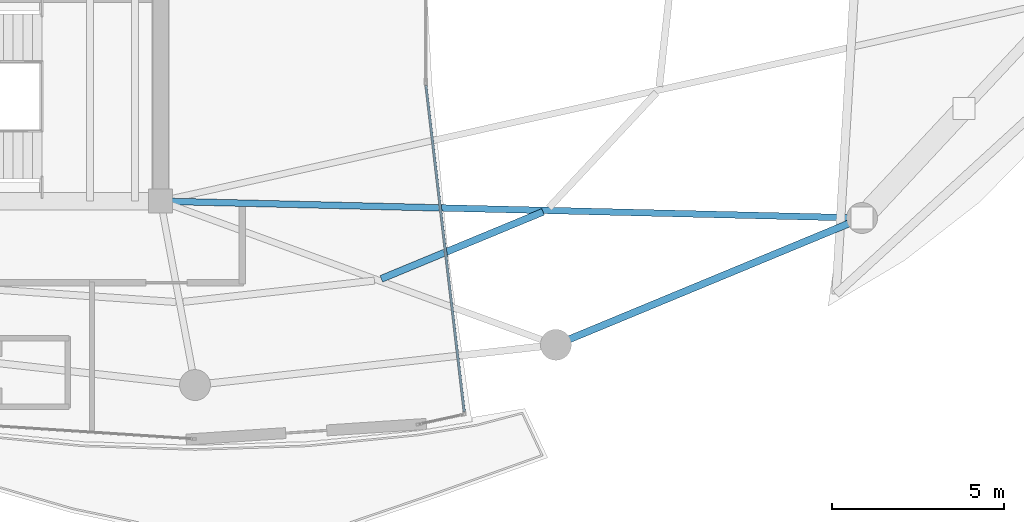
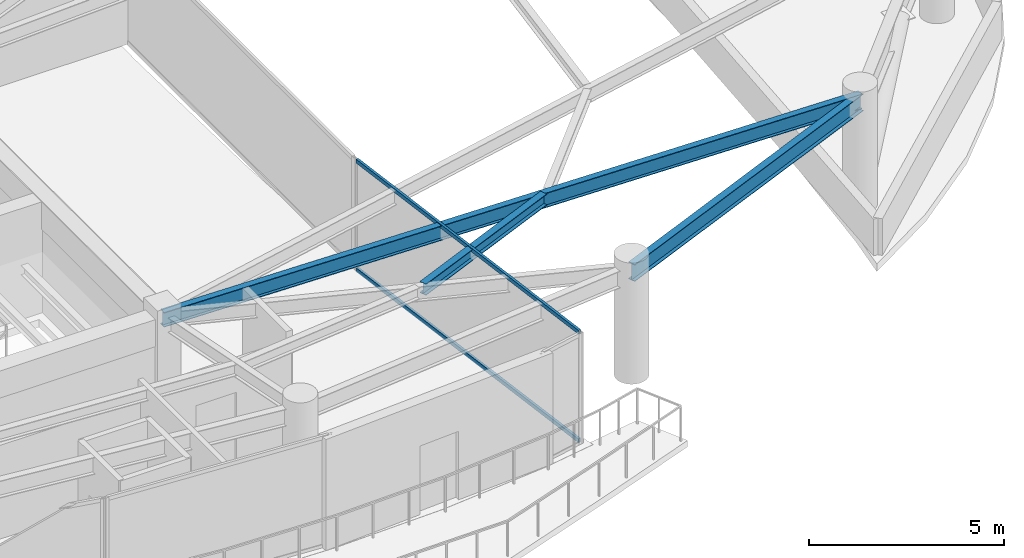
# One storey, part 10 of 22: 3 beams, 2 members, 1 element without a shape of its own.
"""IFC4 building model written with IfcOpenShell, lengths in metres."""

from ifc_helpers import new_model, si_unit, direction, frame, origin, origin_2d, place, context, subcontext, project, spatial, hollow_rectangle, i_section, extrude, material, layer, layer_set, material_profile, profile_set, type_object, element, aggregate, save


model = new_model("IFC4")

# Units and contexts
model_context = context("Model", 3, precision=1e-05, world=origin(), true_north=direction((0.0, 1.0)))
body_context = subcontext(model_context, "Body", "Model", "MODEL_VIEW")
ifc_project = project(units=[si_unit("LENGTHUNIT", "METRE"), si_unit("AREAUNIT", "SQUARE_METRE"), si_unit("VOLUMEUNIT", "CUBIC_METRE"), si_unit("PLANEANGLEUNIT", "RADIAN"), si_unit("MASSUNIT", "GRAM", prefix="KILO")], contexts=[model_context])

# Site, building, storey
site_placement = place(None, origin())
site = spatial("IfcSite", under=ifc_project, at=site_placement, CompositionType="ELEMENT")
building_placement = place(site_placement, origin())
building = spatial("IfcBuilding", under=site, at=building_placement, Name="Kazevale Care Tower and Concert Hall", CompositionType="ELEMENT")
storey_placement = place(building_placement, frame((0.0, 0.0, 277.60009765625)))
storey = spatial("IfcBuildingStorey", under=building, at=storey_placement, Name="L73", CompositionType="ELEMENT", Elevation=277.60009765625)

# Curtain wall, members
ifc_material_1 = material(Name="Aluminium 6063-T6 and Low-E Glass", Category="aluminium")
ifc_layer = layer(ifc_material_1, 0.179931640625)
ifc_layer_set = layer_set([ifc_layer], Name="Aluminium 6063-T6 and Low-E Glass")
curtain_wall_type = type_object("IfcCurtainWallType", Name="Sheltered Concave Balcony Curtain Wall CW-5", PredefinedType="NOTDEFINED", material=ifc_layer_set)
curtain_wall_placement = place(storey_placement, origin())
curtain_wall = element("IfcCurtainWall", 1, at=curtain_wall_placement, inside=storey, type_object=curtain_wall_type, Name="cw:L73:f15", PredefinedType="NOTDEFINED")
ifc_material_2 = material(Name="Aluminium 6063-T6", Category="aluminium")
ifc_material_profile_1 = material_profile(ifc_material_2, hollow_rectangle(XDim=0.074951171875, YDim=0.1201171875, WallThickness=0.00390625, at=origin_2d()), Name="ALU75x120x4")
ifc_profile_set_1 = profile_set([ifc_material_profile_1], Name="Aluminium 6063-T6")
member_type = type_object("IfcMemberType", Name="CW-5 Transom ALU75x120x4", PredefinedType="USERDEFINED", material=ifc_profile_set_1)
member_1_placement = place(storey_placement, frame((51.720703125, 26.967529296875, 0.037353515625), z_axis=(0.116501858152, -0.993190473699, 0.0), x_axis=(0.993190473699, 0.116501858152, 0.0)))
member_1 = element("IfcMember", 2, at=member_1_placement, type_object=member_type, Name="CW-5 transom 1.1", ObjectType="TRANSOM", PredefinedType="USERDEFINED", context=body_context, shape_type="SweptSolid", body=[
    extrude(hollow_rectangle(XDim=0.074951171875, YDim=0.1201171875, WallThickness=0.00390625, at=origin_2d()), origin(), (0.0, 0.0, 1.0), 9.55810546875),
])
member_2_placement = place(storey_placement, frame((51.720703125, 26.967529296875, 3.4423828125), z_axis=(0.116501858152, -0.993190473699, 0.0), x_axis=(0.993190473699, 0.116501858152, 0.0)))
member_2 = element("IfcMember", 3, at=member_2_placement, type_object=member_type, Name="CW-5 transom 1.2", ObjectType="TRANSOM", PredefinedType="USERDEFINED", context=body_context, shape_type="SweptSolid", body=[
    extrude(hollow_rectangle(XDim=0.074951171875, YDim=0.1201171875, WallThickness=0.00390625, at=origin_2d()), origin(), (0.0, 0.0, 1.0), 9.55810546875),
])
aggregate(curtain_wall, [member_1, member_2])

# Beams
ifc_material_3 = material(Name="Steel ASTM A572 Gr 50", Category="steel")
ifc_material_profile_2 = material_profile(ifc_material_3, i_section(OverallWidth=0.19091796875, OverallDepth=0.4599609375, WebThickness=0.010009765625, FlangeThickness=0.01611328125, at=origin_2d()), Name="W460x82")
ifc_profile_set_2 = profile_set([ifc_material_profile_2], Name="Steel ASTM A572 Gr 50")
beam_type_1 = type_object("IfcBeamType", Name="Radial Floor Beam W460x82", PredefinedType="BEAM", material=ifc_profile_set_2)
beam_1_placement = place(storey_placement, frame((44.0, 23.60009765625, 3.25), z_axis=(0.999711945342, -0.024000548742, 0.0), x_axis=(0.024000548742, 0.999711945342, 0.0)))
element("IfcBeam", 4, at=beam_1_placement, inside=storey, type_object=beam_type_1, Name="beam:L73:rad:15", PredefinedType="BEAM", context=body_context, shape_type="SweptSolid", body=[
    extrude(i_section(OverallWidth=0.19091796875, OverallDepth=0.4599609375, WebThickness=0.010009765625, FlangeThickness=0.01611328125, at=origin_2d()), origin(), (0.0, 0.0, 1.0), 20.415771484375),
])
ifc_material_profile_3 = material_profile(ifc_material_3, i_section(OverallWidth=0.205078125, OverallDepth=0.35400390625, WebThickness=0.009521484375, FlangeThickness=0.016845703125, at=origin_2d()), Name="W360x79")
ifc_profile_set_3 = profile_set([ifc_material_profile_3], Name="Steel ASTM A572 Gr 50")
beam_type_2 = type_object("IfcBeamType", Name="Secondary Floor Joist W360x79", PredefinedType="JOIST", material=ifc_profile_set_3)
beam_2_placement = place(storey_placement, frame((50.422119140625, 21.341064453125, 3.302978515625), z_axis=(0.92389590915, 0.382643893268, 0.0), x_axis=(-0.382643893268, 0.92389590915, 0.0)))
element("IfcBeam", 5, at=beam_2_placement, inside=storey, type_object=beam_type_2, Name="beam:L73:joist:14", PredefinedType="JOIST", context=body_context, shape_type="SweptSolid", body=[
    extrude(i_section(OverallWidth=0.205078125, OverallDepth=0.35400390625, WebThickness=0.009521484375, FlangeThickness=0.016845703125, at=origin_2d()), origin(), (0.0, 0.0, 1.0), 5.093505859375),
])
ifc_material_profile_4 = material_profile(ifc_material_3, i_section(OverallWidth=0.208984375, OverallDepth=0.532958984375, WebThickness=0.01025390625, FlangeThickness=0.015625, at=origin_2d()), Name="W530x92")
ifc_profile_set_4 = profile_set([ifc_material_profile_4], Name="Steel ASTM A572 Gr 50")
beam_type_3 = type_object("IfcBeamType", Name="Upper Ring Beam W530x92", PredefinedType="BEAM", material=ifc_profile_set_4)
beam_3_placement = place(storey_placement, frame((55.5, 19.419921875, 3.21337890625), z_axis=(0.923894961945, 0.382646180293, 0.0), x_axis=(-0.382646180293, 0.923894961945, 0.0)))
element("IfcBeam", 6, at=beam_3_placement, inside=storey, type_object=beam_type_3, Name="beam:L73:ring:14", PredefinedType="BEAM", context=body_context, shape_type="SweptSolid", body=[
    extrude(i_section(OverallWidth=0.208984375, OverallDepth=0.532958984375, WebThickness=0.01025390625, FlangeThickness=0.015625, at=origin_2d()), origin(), (0.0, 0.0, 1.0), 9.643798828125),
])

save(model, "model.ifc")
